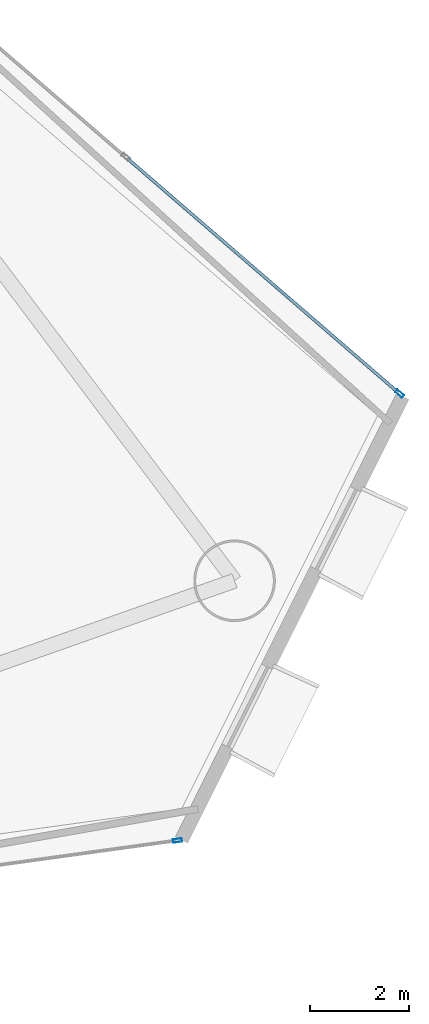
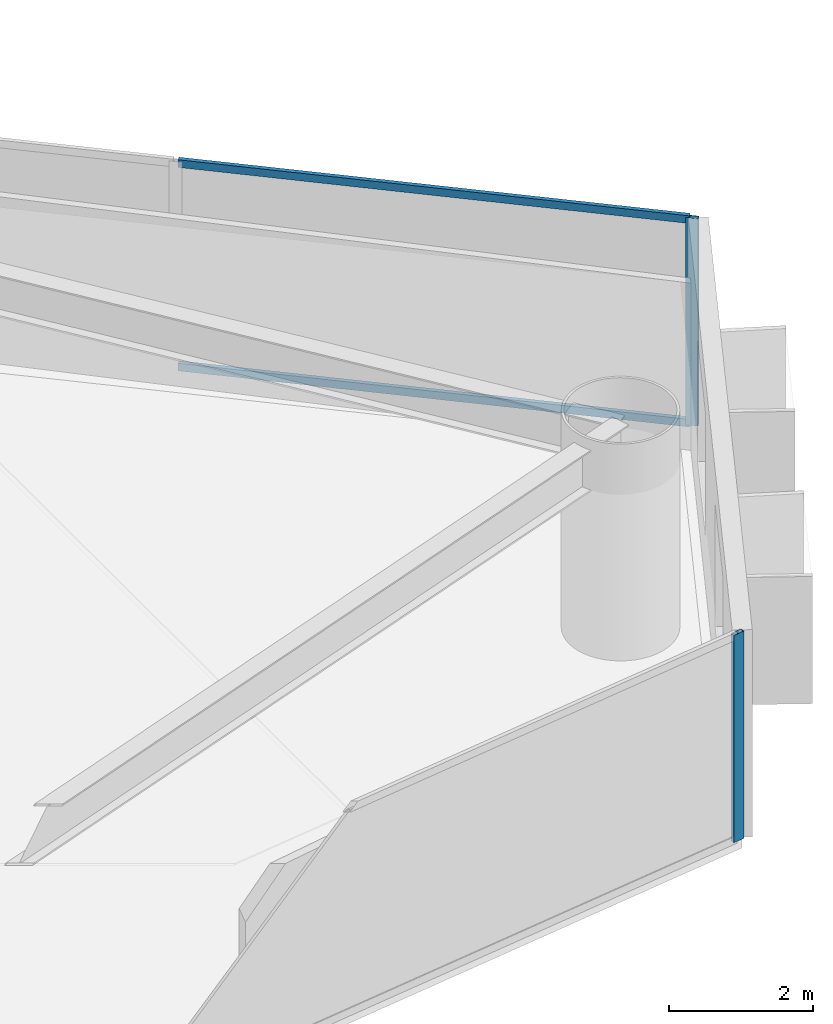
# One storey, part 13 of 23: 4 members, 2 elements without a shape of their own.
"""IFC4 building model written with IfcOpenShell, lengths in metres."""

from ifc_helpers import new_model, si_unit, direction, frame, origin, origin_2d, place, context, subcontext, project, spatial, hollow_rectangle, extrude, material, layer, layer_set, material_profile, profile_set, type_object, element, aggregate, save


model = new_model("IFC4")

# Units and contexts
model_context = context("Model", 3, precision=1e-05, world=origin(), true_north=direction((0.0, 1.0)))
body_context = subcontext(model_context, "Body", "Model", "MODEL_VIEW")
ifc_project = project(units=[si_unit("LENGTHUNIT", "METRE"), si_unit("AREAUNIT", "SQUARE_METRE"), si_unit("VOLUMEUNIT", "CUBIC_METRE"), si_unit("PLANEANGLEUNIT", "RADIAN"), si_unit("MASSUNIT", "GRAM", prefix="KILO")], contexts=[model_context])

# Site, building, storey
site_placement = place(None, origin())
site = spatial("IfcSite", under=ifc_project, at=site_placement, CompositionType="ELEMENT")
building_placement = place(site_placement, origin())
building = spatial("IfcBuilding", under=site, at=building_placement, Name="Qianvela Tower", CompositionType="ELEMENT")
storey_placement = place(building_placement, frame((0.0, 0.0, 74.699951171875)))
storey = spatial("IfcBuildingStorey", under=building, at=storey_placement, Name="L18", CompositionType="ELEMENT", Elevation=74.699951171875)

# Curtain wall, member
ifc_material_1 = material(Name="Anodised Architectural Aluminium and Low-E Glass", Category="aluminium")
ifc_layer = layer(ifc_material_1, 0.179931640625)
ifc_layer_set = layer_set([ifc_layer], Name="Anodised Architectural Aluminium and Low-E Glass")
curtain_wall_type = type_object("IfcCurtainWallType", Name="CW-COLIV-Z12", PredefinedType="USERDEFINED", material=ifc_layer_set)
curtain_wall_1_placement = place(storey_placement, origin())
curtain_wall_1 = element("IfcCurtainWall", 1, at=curtain_wall_1_placement, inside=storey, type_object=curtain_wall_type, Name="L18 CW-COLIV-Z12 Curtain Wall 02A", ObjectType="CURTAIN_WALL_SYSTEM", PredefinedType="USERDEFINED")
ifc_material_2 = material(Name="Anodised Architectural Aluminium 6063-T6", Category="aluminium")
ifc_material_profile_1 = material_profile(ifc_material_2, hollow_rectangle(XDim=0.070068359375, YDim=0.179931640625, WallThickness=0.0048828125, at=origin_2d()), Name="ALU-MULL-70x180")
ifc_profile_set_1 = profile_set([ifc_material_profile_1], Name="Anodised Architectural Aluminium 6063-T6")
member_type_1 = type_object("IfcMemberType", Name="CW-COLIV-Z12-MULL", PredefinedType="MULLION", material=ifc_profile_set_1)
member_1_placement = place(storey_placement, frame((59.535400390625, 24.2509765625, 0.0), z_axis=(0.0, 0.0, 1.0), x_axis=(-0.65385201426, -0.756622457669, 0.0)))
member_1 = element("IfcMember", 2, at=member_1_placement, type_object=member_type_1, Name="CW-3 mullion 1", PredefinedType="MULLION", context=body_context, shape_type="SweptSolid", body=[
    extrude(hollow_rectangle(XDim=0.070068359375, YDim=0.179931640625, WallThickness=0.0048828125, at=origin_2d()), origin(), (0.0, 0.0, 1.0), 3.52001953125),
])

curtain_wall_2_placement = place(storey_placement, origin())
curtain_wall_2 = element("IfcCurtainWall", 3, at=curtain_wall_2_placement, inside=storey, type_object=curtain_wall_type, Name="L18 CW-COLIV-Z12 Curtain Wall 06C", ObjectType="CURTAIN_WALL_SYSTEM", PredefinedType="USERDEFINED")
member_2_placement = place(storey_placement, frame((55.044189453125, 15.216796875, 0.0), z_axis=(0.0, 0.0, 1.0), x_axis=(-0.136984633674, 0.99057317253, 0.0)))
member_2 = element("IfcMember", 4, at=member_2_placement, type_object=member_type_1, Name="CW-3 mullion 2", PredefinedType="MULLION", context=body_context, shape_type="SweptSolid", body=[
    extrude(hollow_rectangle(XDim=0.070068359375, YDim=0.179931640625, WallThickness=0.0048828125, at=origin_2d()), origin(), (0.0, 0.0, 1.0), 3.52001953125),
])
aggregate(curtain_wall_2, [member_2])

# Member
ifc_material_3 = material(Name="Anodised Architectural Aluminium 6063-T6", Category="aluminium")
ifc_material_profile_2 = material_profile(ifc_material_3, hollow_rectangle(XDim=0.06494140625, YDim=0.1298828125, WallThickness=0.00439453125, at=origin_2d()), Name="ALU-TRAN-65x130")
ifc_profile_set_2 = profile_set([ifc_material_profile_2], Name="Anodised Architectural Aluminium 6063-T6")
member_type_2 = type_object("IfcMemberType", Name="CW-COLIV-Z12-TRAN", PredefinedType="USERDEFINED", material=ifc_profile_set_2)
member_3_placement = place(storey_placement, frame((59.509033203125, 24.27392578125, 0.032470703125), z_axis=(-0.756627353316, 0.653846349086, 0.0), x_axis=(-0.653846349086, -0.756627353316, 0.0)))
member_3 = element("IfcMember", 5, at=member_3_placement, type_object=member_type_2, Name="CW-3 transom 1.1", ObjectType="TRANSOM", PredefinedType="USERDEFINED", context=body_context, shape_type="SweptSolid", body=[
    extrude(hollow_rectangle(XDim=0.06494140625, YDim=0.1298828125, WallThickness=0.00439453125, at=origin_2d()), origin(), (0.0, 0.0, 1.0), 7.239990234375),
])

member_4_placement = place(storey_placement, frame((59.509033203125, 24.27392578125, 3.487548828125), z_axis=(-0.756627353316, 0.653846349086, 0.0), x_axis=(-0.653846349086, -0.756627353316, 0.0)))
member_4 = element("IfcMember", 6, at=member_4_placement, type_object=member_type_2, Name="CW-3 transom 1.2", ObjectType="TRANSOM", PredefinedType="USERDEFINED", context=body_context, shape_type="SweptSolid", body=[
    extrude(hollow_rectangle(XDim=0.06494140625, YDim=0.1298828125, WallThickness=0.00439453125, at=origin_2d()), origin(), (0.0, 0.0, 1.0), 7.239990234375),
])

aggregate(curtain_wall_1, [member_1, member_3, member_4])

save(model, "model.ifc")
